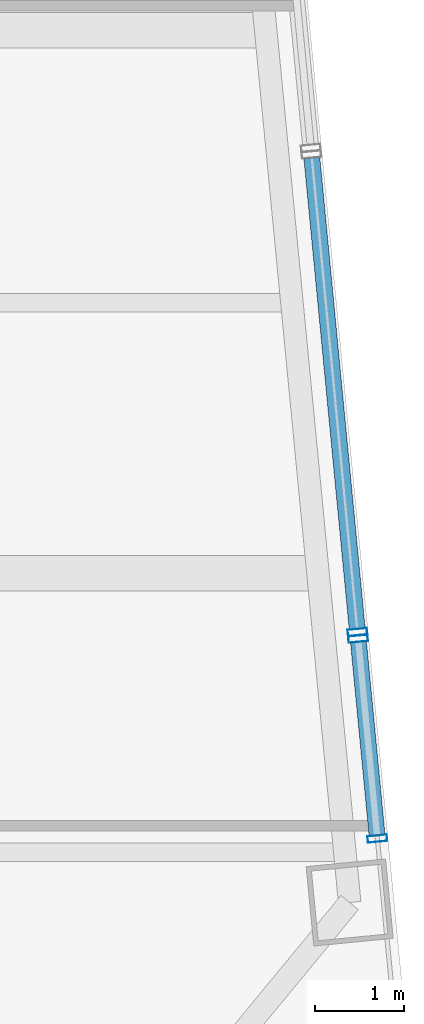
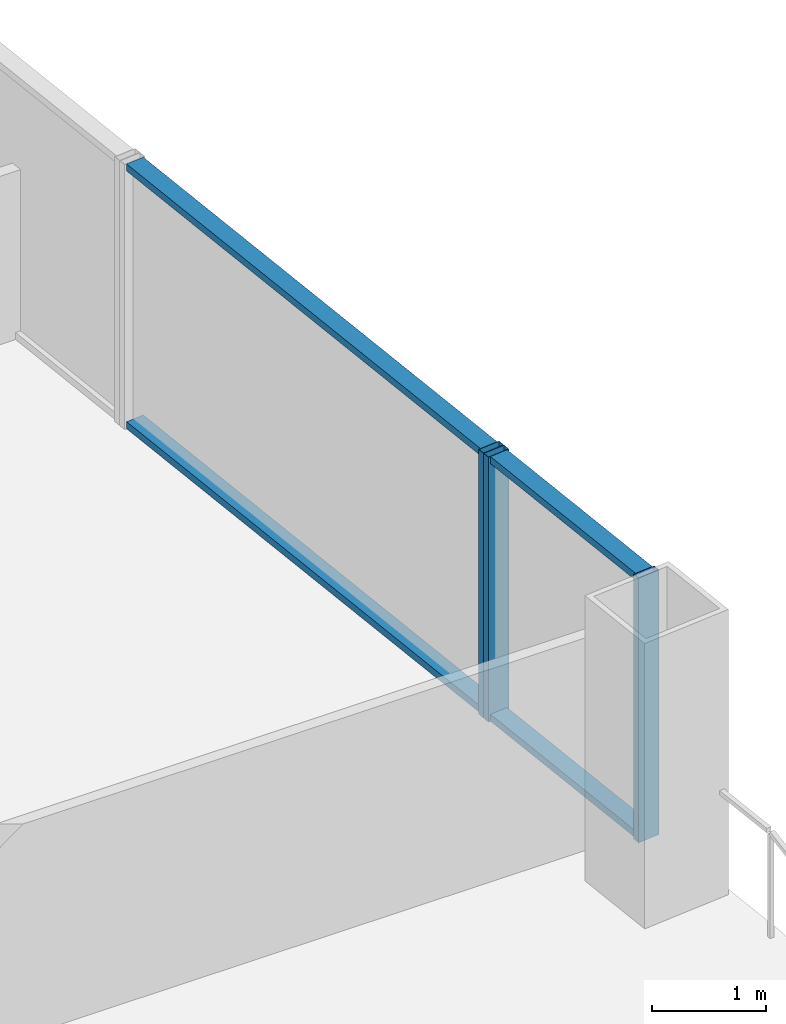
# One storey, part 11 of 27: 7 members, 2 elements without a shape of their own.
"""IFC4 building model written with IfcOpenShell, lengths in metres."""

from ifc_helpers import new_model, si_unit, direction, frame, origin, origin_2d, place, context, subcontext, project, spatial, hollow_rectangle, extrude, material, layer, layer_set, material_profile, profile_set, type_object, element, aggregate, save


model = new_model("IFC4")

# Units and contexts
model_context = context("Model", 3, precision=1e-05, world=origin(), true_north=direction((0.0, 1.0)))
body_context = subcontext(model_context, "Body", "Model", "MODEL_VIEW")
ifc_project = project(units=[si_unit("LENGTHUNIT", "METRE"), si_unit("AREAUNIT", "SQUARE_METRE"), si_unit("VOLUMEUNIT", "CUBIC_METRE"), si_unit("PLANEANGLEUNIT", "RADIAN"), si_unit("MASSUNIT", "GRAM", prefix="KILO")], contexts=[model_context])

# Site, building, storey
site_placement = place(None, origin())
site = spatial("IfcSite", under=ifc_project, at=site_placement, CompositionType="ELEMENT")
building_placement = place(site_placement, origin())
building = spatial("IfcBuilding", under=site, at=building_placement, Name="Qhalaya Broadcast Tower", CompositionType="ELEMENT")
storey_placement = place(building_placement, frame((0.0, 0.0, 84.699951171875)))
storey = spatial("IfcBuildingStorey", under=building, at=storey_placement, Name="L24", CompositionType="ELEMENT", Elevation=84.699951171875)

# Curtain wall, members
ifc_material_1 = material(Name="Fired Architectural Terracotta", Category="masonry")
ifc_layer_1 = layer(ifc_material_1, 0.219970703125, Name="Fired Architectural Terracotta")
ifc_layer_set_1 = layer_set([ifc_layer_1], Name="Fired Architectural Terracotta")
curtain_wall_type_1 = type_object("IfcCurtainWallType", Name="Block-Cap Unitised Terracotta Spandrel Wall CW-07", PredefinedType="NOTDEFINED", material=ifc_layer_set_1)
curtain_wall_1_placement = place(storey_placement, origin())
curtain_wall_1 = element("IfcCurtainWall", 1, at=curtain_wall_1_placement, inside=storey, type_object=curtain_wall_type_1, Name="L24 Unitised Curtain Wall L24-CW-E1", PredefinedType="NOTDEFINED")
ifc_material_2 = material(Name="Anodised Aluminium 6063-T6", Category="aluminium")
ifc_material_profile_1 = material_profile(ifc_material_2, hollow_rectangle(XDim=0.074951171875, YDim=0.219970703125, WallThickness=0.00390625, at=origin_2d()), Name="ALU-MUL 75x220x4")
ifc_profile_set_1 = profile_set([ifc_material_profile_1], Name="Anodised Aluminium 6063-T6")
member_type_1 = type_object("IfcMemberType", Name="Unitised Curtain-Wall Mullion M01", PredefinedType="MULLION", material=ifc_profile_set_1)
member_1_placement = place(storey_placement, frame((29.60498046875, -11.74462890625, 0.0), z_axis=(0.0, 0.0, 1.0), x_axis=(-0.095855723819, 0.99539523819, 0.0)))
member_1 = element("IfcMember", 2, at=member_1_placement, type_object=member_type_1, Name="CW-07 mullion 1", PredefinedType="MULLION", context=body_context, shape_type="SweptSolid", body=[
    extrude(hollow_rectangle(XDim=0.074951171875, YDim=0.219970703125, WallThickness=0.00390625, at=origin_2d()), origin(), (0.0, 0.0, 1.0), 2.830078125),
])
member_2_placement = place(storey_placement, frame((29.387939453125, -9.490234375, 0.0), z_axis=(0.0, 0.0, 1.0), x_axis=(-0.095855723819, 0.99539523819, 0.0)))
member_2 = element("IfcMember", 3, at=member_2_placement, type_object=member_type_1, Name="CW-07 mullion 2", PredefinedType="MULLION", context=body_context, shape_type="SweptSolid", body=[
    extrude(hollow_rectangle(XDim=0.074951171875, YDim=0.219970703125, WallThickness=0.00390625, at=origin_2d()), origin(), (0.0, 0.0, 1.0), 2.830078125),
])

# Curtain wall, member
ifc_material_3 = material(Name="Solar-Control Low-E Triple Glazing", Category="glass")
ifc_layer_2 = layer(ifc_material_3, 0.219970703125, Name="Solar-Control Low-E Triple Glazing")
ifc_layer_set_2 = layer_set([ifc_layer_2], Name="Solar-Control Low-E Triple Glazing")
curtain_wall_type_2 = type_object("IfcCurtainWallType", Name="Even-Block 4-Storey Double-Module Curtain Wall CW-03", PredefinedType="NOTDEFINED", material=ifc_layer_set_2)
curtain_wall_2_placement = place(storey_placement, origin())
curtain_wall_2 = element("IfcCurtainWall", 4, at=curtain_wall_2_placement, inside=storey, type_object=curtain_wall_type_2, Name="L24 Unitised Curtain Wall L24-CW-E2", PredefinedType="NOTDEFINED")
member_3_placement = place(storey_placement, frame((29.380615234375, -9.41552734375, 0.0), z_axis=(0.0, 0.0, 1.0), x_axis=(-0.095843001098, 0.995396463295, 0.0)))
member_3 = element("IfcMember", 5, at=member_3_placement, type_object=member_type_1, Name="CW-03 mullion 1", PredefinedType="MULLION", context=body_context, shape_type="SweptSolid", body=[
    extrude(hollow_rectangle(XDim=0.074951171875, YDim=0.219970703125, WallThickness=0.00390625, at=origin_2d()), origin(), (0.0, 0.0, 1.0), 2.830078125),
])

# Member
ifc_material_profile_2 = material_profile(ifc_material_2, hollow_rectangle(XDim=0.074951171875, YDim=0.179931640625, WallThickness=0.00390625, at=origin_2d()), Name="ALU-TRN 75x180x4")
ifc_profile_set_2 = profile_set([ifc_material_profile_2], Name="Anodised Aluminium 6063-T6")
member_type_2 = type_object("IfcMemberType", Name="Unitised Curtain-Wall Transom T01", PredefinedType="USERDEFINED", material=ifc_profile_set_2)
member_4_placement = place(storey_placement, frame((29.601318359375, -11.707275390625, 0.03759765625), z_axis=(-0.095761263253, 0.995404330139, 0.0), x_axis=(0.0, 0.0, 1.0)))
member_4 = element("IfcMember", 6, at=member_4_placement, type_object=member_type_2, Name="CW-07 transom 1.1", ObjectType="TRANSOM", PredefinedType="USERDEFINED", context=body_context, shape_type="SweptSolid", body=[
    extrude(hollow_rectangle(XDim=0.074951171875, YDim=0.179931640625, WallThickness=0.00390625, at=origin_2d()), origin(), (0.0, 0.0, 1.0), 2.18994140625),
])

member_5_placement = place(storey_placement, frame((29.601318359375, -11.707275390625, 2.79248046875), z_axis=(-0.095761263253, 0.995404330139, 0.0), x_axis=(0.0, 0.0, 1.0)))
member_5 = element("IfcMember", 7, at=member_5_placement, type_object=member_type_2, Name="CW-07 transom 1.2", ObjectType="TRANSOM", PredefinedType="USERDEFINED", context=body_context, shape_type="SweptSolid", body=[
    extrude(hollow_rectangle(XDim=0.074951171875, YDim=0.179931640625, WallThickness=0.00390625, at=origin_2d()), origin(), (0.0, 0.0, 1.0), 2.18994140625),
])

aggregate(curtain_wall_1, [member_1, member_2, member_4, member_5])

member_6_placement = place(storey_placement, frame((29.377197265625, -9.378173828125, 0.03759765625), z_axis=(-0.09585189358, 0.995395607031, 0.0), x_axis=(0.0, 0.0, 1.0)))
member_6 = element("IfcMember", 8, at=member_6_placement, type_object=member_type_2, Name="CW-03 transom 1.1", ObjectType="TRANSOM", PredefinedType="USERDEFINED", context=body_context, shape_type="SweptSolid", body=[
    extrude(hollow_rectangle(XDim=0.074951171875, YDim=0.179931640625, WallThickness=0.00390625, at=origin_2d()), origin(), (0.0, 0.0, 1.0), 5.336181640625),
])

member_7_placement = place(storey_placement, frame((29.377197265625, -9.378173828125, 2.79248046875), z_axis=(-0.09585189358, 0.995395607031, 0.0), x_axis=(0.0, 0.0, 1.0)))
member_7 = element("IfcMember", 9, at=member_7_placement, type_object=member_type_2, Name="CW-03 transom 1.2", ObjectType="TRANSOM", PredefinedType="USERDEFINED", context=body_context, shape_type="SweptSolid", body=[
    extrude(hollow_rectangle(XDim=0.074951171875, YDim=0.179931640625, WallThickness=0.00390625, at=origin_2d()), origin(), (0.0, 0.0, 1.0), 5.336181640625),
])

aggregate(curtain_wall_2, [member_3, member_6, member_7])

save(model, "model.ifc")
